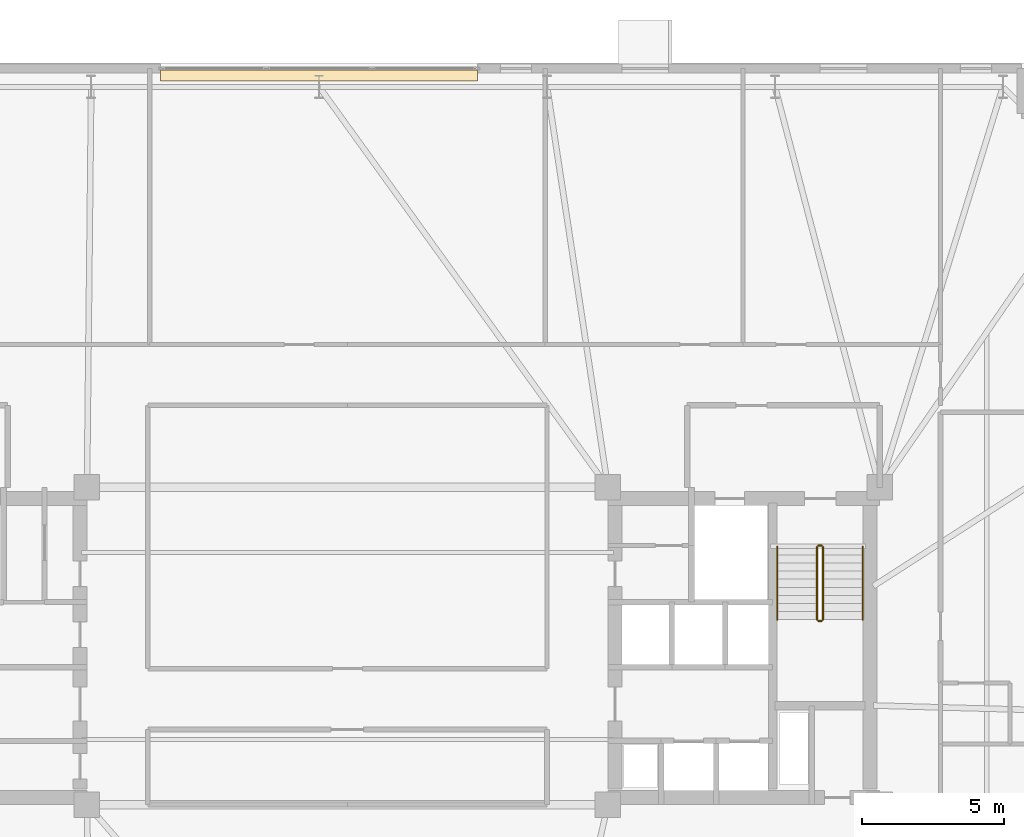
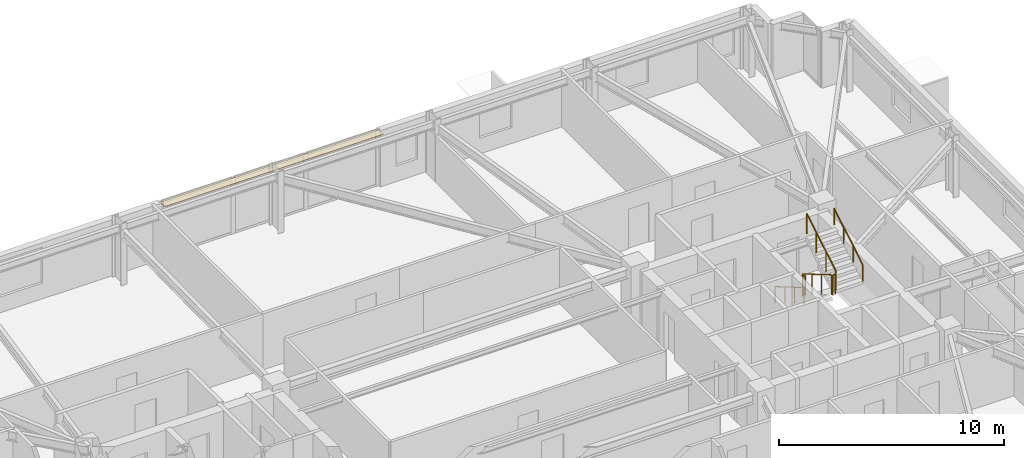
# One storey, part 18 of 18: 6 railings, 1 covering.
"""IFC4 building model written with IfcOpenShell, lengths in metres."""

from ifc_helpers import new_model, si_unit, direction, frame, origin, origin_2d, place, context, subcontext, project, spatial, polyline, circle, outline, extrude, material, layer, layer_set, type_object, element, save


model = new_model("IFC4")

# Units and contexts
model_context = context("Model", 3, precision=1e-05, world=origin(), true_north=direction((0.0, 1.0)))
body_context = subcontext(model_context, "Body", "Model", "MODEL_VIEW")
ifc_project = project(units=[si_unit("LENGTHUNIT", "METRE"), si_unit("AREAUNIT", "SQUARE_METRE"), si_unit("VOLUMEUNIT", "CUBIC_METRE"), si_unit("PLANEANGLEUNIT", "RADIAN"), si_unit("MASSUNIT", "GRAM", prefix="KILO")], contexts=[model_context])

# Site, building, storey
site_placement = place(None, origin())
site = spatial("IfcSite", under=ifc_project, at=site_placement, CompositionType="ELEMENT")
building_placement = place(site_placement, origin())
building = spatial("IfcBuilding", under=site, at=building_placement, Name="Qobustan Lattice House", CompositionType="ELEMENT")
storey_placement = place(building_placement, frame((0.0, 0.0, 154.449951171875)))
storey = spatial("IfcBuildingStorey", under=building, at=storey_placement, Name="L43", CompositionType="ELEMENT", Elevation=154.449951171875)

# Covering
ifc_material_1 = material(Name="Persian walnut timber lining", Category="wood")
ifc_layer = layer(ifc_material_1, 0.0380859375)
ifc_layer_set = layer_set([ifc_layer], Name="Persian walnut timber lining")
covering_type = type_object("IfcCoveringType", Name="COV-WALNUT-IWAN", PredefinedType="CLADDING", material=ifc_layer_set)
covering_placement = place(storey_placement, frame((0.0, 0.0, 3.001953125)))
element("IfcCovering", 1, at=covering_placement, inside=storey, type_object=covering_type, Name="L43 IWAN-3 Persian walnut soffit cladding", PredefinedType="CLADDING", context=body_context, shape_type="SweptSolid", body=[
    extrude(outline(polyline([(-6.60009765625, 20.35009765625), (4.60009765625, 20.35009765625), (4.60009765625, 19.949951171875), (-6.60009765625, 19.949951171875), (-6.60009765625, 20.35009765625)])), origin(), (0.0, 0.0, 1.0), 0.0380859375),
])

# Railings
ifc_material_2 = material(Name="Brushed stainless steel handrail", Category="steel")
railing_type_1 = type_object("IfcRailingType", Name="RAL-HR-920", PredefinedType="HANDRAIL", material=ifc_material_2)
railing_1_placement = place(storey_placement, frame((15.179931640625, 3.5, 0.16748046875)))
element("IfcRailing", 2, at=railing_1_placement, inside=storey, type_object=railing_type_1, Name="L43 ST-E1 stair handrail 1", PredefinedType="HANDRAIL", context=body_context, shape_type="SweptSolid", body=[
    extrude(circle(Radius=0.02392578125, at=origin_2d()), frame((0.0, 0.0, 0.8759765625), z_axis=(0.0, -0.862113467892, 0.50671527358), x_axis=(1.0, 0.0, 0.0)), (0.0, 0.0, 1.0), 2.97509765625),
    extrude(circle(Radius=0.02099609375, at=origin_2d()), origin(), (0.0, 0.0, 1.0), 0.851806640625),
    extrude(circle(Radius=0.02099609375, at=origin_2d()), frame((0.0, -0.85498046875, 0.50244140625)), (0.0, 0.0, 1.0), 0.851806640625),
    extrude(circle(Radius=0.02099609375, at=origin_2d()), frame((0.0, -1.7099609375, 1.005126953125)), (0.0, 0.0, 1.0), 0.851806640625),
    extrude(circle(Radius=0.02099609375, at=origin_2d()), frame((0.0, -2.56494140625, 1.507568359375)), (0.0, 0.0, 1.0), 0.851806640625),
])
railing_2_placement = place(storey_placement, frame((18.199951171875, 0.93505859375, 1.842529296875)))
element("IfcRailing", 3, at=railing_2_placement, inside=storey, type_object=railing_type_1, Name="L43 ST-E1 stair handrail 2", PredefinedType="HANDRAIL", context=body_context, shape_type="SweptSolid", body=[
    extrude(circle(Radius=0.02392578125, at=origin_2d()), frame((0.0, 0.0, 0.8759765625), z_axis=(0.0, 0.862113467892, 0.50671527358), x_axis=(-1.0, 0.0, 0.0)), (0.0, 0.0, 1.0), 2.97509765625),
    extrude(circle(Radius=0.02099609375, at=origin_2d()), origin(), (0.0, 0.0, 1.0), 0.851806640625),
    extrude(circle(Radius=0.02099609375, at=origin_2d()), frame((0.0, 0.85498046875, 0.50244140625)), (0.0, 0.0, 1.0), 0.851806640625),
    extrude(circle(Radius=0.02099609375, at=origin_2d()), frame((0.0, 1.7099609375, 1.005126953125)), (0.0, 0.0, 1.0), 0.851806640625),
    extrude(circle(Radius=0.02099609375, at=origin_2d()), frame((0.0, 2.56494140625, 1.507568359375)), (0.0, 0.0, 1.0), 0.851806640625),
])
ifc_material_3 = material(Name="Painted galvanized steel guardrail", Category="steel")
railing_type_2 = type_object("IfcRailingType", Name="RAL-STG-1150", PredefinedType="GUARDRAIL", material=ifc_material_3)
railing_3_placement = place(storey_placement, frame((16.580078125, 3.5, 0.16748046875)))
element("IfcRailing", 4, at=railing_3_placement, inside=storey, type_object=railing_type_2, Name="L43 ST-E1 stair guard 1", PredefinedType="GUARDRAIL", context=body_context, shape_type="SweptSolid", body=[
    extrude(circle(Radius=0.02392578125, at=origin_2d()), frame((0.0, 0.0, 1.076171875), z_axis=(0.0, -0.862113467892, 0.50671527358), x_axis=(1.0, 0.0, 0.0)), (0.0, 0.0, 1.0), 2.97509765625),
    extrude(circle(Radius=0.02099609375, at=origin_2d()), origin(), (0.0, 0.0, 1.0), 1.052001953125),
    extrude(circle(Radius=0.02099609375, at=origin_2d()), frame((0.0, -0.85498046875, 0.50244140625)), (0.0, 0.0, 1.0), 1.052001953125),
    extrude(circle(Radius=0.02099609375, at=origin_2d()), frame((0.0, -1.7099609375, 1.005126953125)), (0.0, 0.0, 1.0), 1.052001953125),
    extrude(circle(Radius=0.02099609375, at=origin_2d()), frame((0.0, -2.56494140625, 1.507568359375)), (0.0, 0.0, 1.0), 1.052001953125),
])
railing_4_placement = place(storey_placement, frame((16.6298828125, 0.885009765625, 1.675048828125)))
element("IfcRailing", 5, at=railing_4_placement, inside=storey, type_object=railing_type_2, Name="L43 ST-E1 stair guard 2", PredefinedType="GUARDRAIL", context=body_context, shape_type="SweptSolid", body=[
    extrude(circle(Radius=0.02392578125, at=origin_2d()), frame((0.0, 0.0, 1.076171875), z_axis=(1.0, 0.0, 0.0), x_axis=(0.0, 1.0, 0.0)), (0.0, 0.0, 1.0), 0.1201171875),
    extrude(circle(Radius=0.02099609375, at=origin_2d()), origin(), (0.0, 0.0, 1.0), 1.052001953125),
    extrude(circle(Radius=0.02099609375, at=origin_2d()), frame((0.1201171875, 0.0, 0.0)), (0.0, 0.0, 1.0), 1.052001953125),
])
railing_5_placement = place(storey_placement, frame((16.800048828125, 0.93505859375, 1.842529296875)))
element("IfcRailing", 6, at=railing_5_placement, inside=storey, type_object=railing_type_2, Name="L43 ST-E1 stair guard 3", PredefinedType="GUARDRAIL", context=body_context, shape_type="SweptSolid", body=[
    extrude(circle(Radius=0.02392578125, at=origin_2d()), frame((0.0, 0.0, 1.076171875), z_axis=(0.0, 0.862113467892, 0.50671527358), x_axis=(-1.0, 0.0, 0.0)), (0.0, 0.0, 1.0), 2.97509765625),
    extrude(circle(Radius=0.02099609375, at=origin_2d()), origin(), (0.0, 0.0, 1.0), 1.052001953125),
    extrude(circle(Radius=0.02099609375, at=origin_2d()), frame((0.0, 0.85498046875, 0.50244140625)), (0.0, 0.0, 1.0), 1.052001953125),
    extrude(circle(Radius=0.02099609375, at=origin_2d()), frame((0.0, 1.7099609375, 1.005126953125)), (0.0, 0.0, 1.0), 1.052001953125),
    extrude(circle(Radius=0.02099609375, at=origin_2d()), frame((0.0, 2.56494140625, 1.507568359375)), (0.0, 0.0, 1.0), 1.052001953125),
])
railing_6_placement = place(storey_placement, frame((16.6298828125, 3.550048828125, 0.0)))
element("IfcRailing", 7, at=railing_6_placement, inside=storey, type_object=railing_type_2, Name="L43 ST-E1 stair guard 4", PredefinedType="GUARDRAIL", context=body_context, shape_type="SweptSolid", body=[
    extrude(circle(Radius=0.02392578125, at=origin_2d()), frame((0.0, 0.0, 1.076171875), z_axis=(1.0, 0.0, 0.0), x_axis=(0.0, 1.0, 0.0)), (0.0, 0.0, 1.0), 0.1201171875),
    extrude(circle(Radius=0.02099609375, at=origin_2d()), origin(), (0.0, 0.0, 1.0), 1.052001953125),
    extrude(circle(Radius=0.02099609375, at=origin_2d()), frame((0.1201171875, 0.0, 0.0)), (0.0, 0.0, 1.0), 1.052001953125),
])

save(model, "model.ifc")
